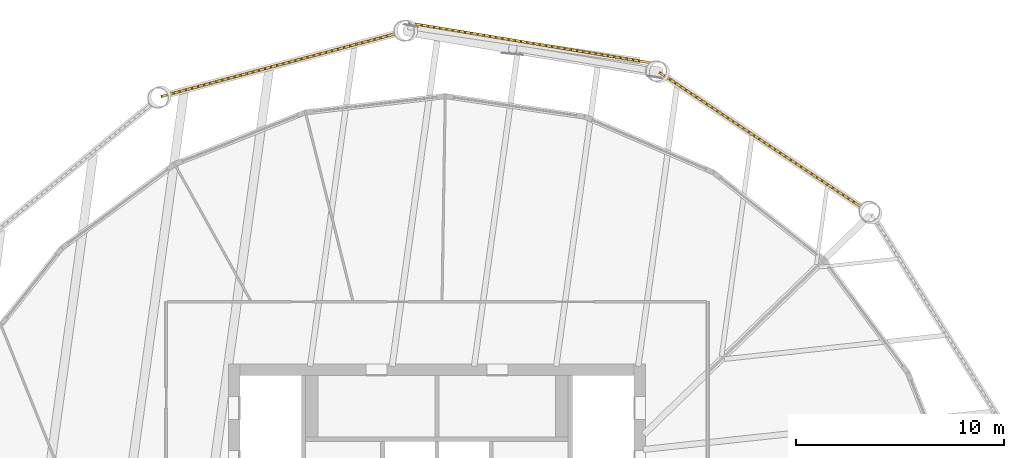
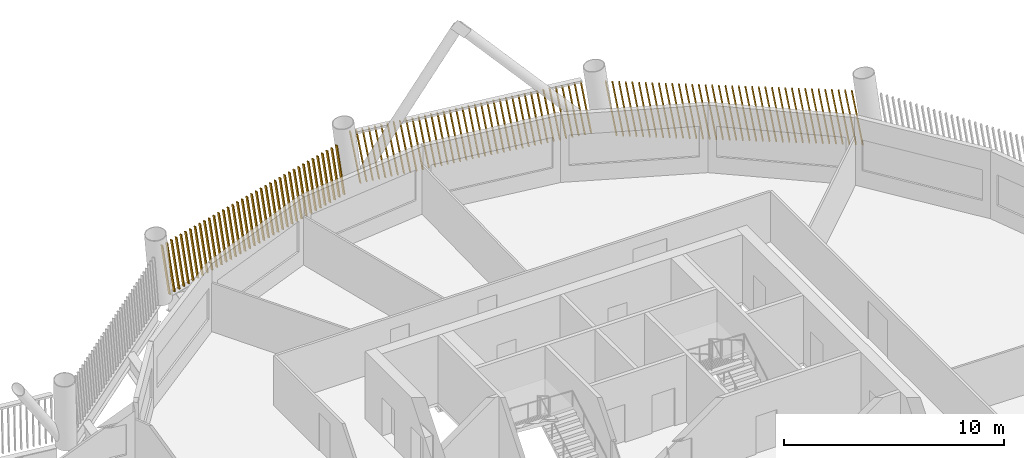
# One storey, part 20 of 21: 3 shading devices.
"""IFC4 building model written with IfcOpenShell, lengths in metres."""

from ifc_helpers import new_model, si_unit, direction, frame, frame_2d, origin, place, context, subcontext, project, spatial, rectangle, composite_profile, extrude, material, type_object, element, save


model = new_model("IFC4")

# Units and contexts
model_context = context("Model", 3, precision=1e-05, world=origin(), true_north=direction((0.0, 1.0)))
body_context = subcontext(model_context, "Body", "Model", "MODEL_VIEW")
ifc_project = project(units=[si_unit("LENGTHUNIT", "METRE"), si_unit("AREAUNIT", "SQUARE_METRE"), si_unit("VOLUMEUNIT", "CUBIC_METRE"), si_unit("PLANEANGLEUNIT", "RADIAN"), si_unit("MASSUNIT", "GRAM", prefix="KILO")], contexts=[model_context])

# Site, building, storey
site_placement = place(None, origin())
site = spatial("IfcSite", under=ifc_project, at=site_placement, CompositionType="ELEMENT")
building_placement = place(site_placement, origin())
building = spatial("IfcBuilding", under=site, at=building_placement, Name="Tarsis Ring Headquarters", CompositionType="ELEMENT")
storey_placement = place(building_placement, frame((0.0, 0.0, 255.199951171875)))
storey = spatial("IfcBuildingStorey", under=building, at=storey_placement, Name="L59", CompositionType="ELEMENT", Elevation=255.199951171875)

# Shading devices
ifc_material = material(Name="Terracotta baguette", Category="masonry")
shading_device_type = type_object("IfcShadingDeviceType", Name="Terracotta baguette screen", PredefinedType="USERDEFINED", material=ifc_material)
shading_device_1_placement = place(storey_placement, frame((20.4375, 20.5, 0.0), z_axis=(0.0, 0.0, 1.0), x_axis=(-0.831882799783, 0.554964731416, 0.0)))
element("IfcShadingDevice", 1, at=shading_device_1_placement, inside=storey, type_object=shading_device_type, Name="Baguette screen L59-11", ObjectType="Terracotta baguette screen", PredefinedType="USERDEFINED", context=body_context, shape_type="SweptSolid", body=[
    extrude(composite_profile([rectangle(XDim=0.06005859375, YDim=0.1201171875, at=frame_2d((0.030029296875, 0.0))), rectangle(XDim=0.06005859375, YDim=0.1201171875, at=frame_2d((0.33251953125, 0.0))), rectangle(XDim=0.06005859375, YDim=0.1201171875, at=frame_2d((0.634765625, 0.0))), rectangle(XDim=0.06005859375, YDim=0.1201171875, at=frame_2d((0.937255859375, 0.0))), rectangle(XDim=0.06005859375, YDim=0.1201171875, at=frame_2d((1.239501953125, 0.0))), rectangle(XDim=0.06005859375, YDim=0.1201171875, at=frame_2d((1.5419921875, 0.0))), rectangle(XDim=0.06005859375, YDim=0.1201171875, at=frame_2d((1.844482421875, 0.0))), rectangle(XDim=0.06005859375, YDim=0.1201171875, at=frame_2d((2.146728515625, 0.0))), rectangle(XDim=0.06005859375, YDim=0.1201171875, at=frame_2d((2.44921875, 0.0))), rectangle(XDim=0.06005859375, YDim=0.1201171875, at=frame_2d((2.751708984375, 0.0))), rectangle(XDim=0.06005859375, YDim=0.1201171875, at=frame_2d((3.053955078125, 0.0))), rectangle(XDim=0.06005859375, YDim=0.1201171875, at=frame_2d((3.3564453125, 0.0))), rectangle(XDim=0.06005859375, YDim=0.1201171875, at=frame_2d((3.65869140625, 0.0))), rectangle(XDim=0.06005859375, YDim=0.1201171875, at=frame_2d((3.961181640625, 0.0))), rectangle(XDim=0.06005859375, YDim=0.1201171875, at=frame_2d((4.263671875, 0.0))), rectangle(XDim=0.06005859375, YDim=0.1201171875, at=frame_2d((4.56591796875, 0.0))), rectangle(XDim=0.06005859375, YDim=0.1201171875, at=frame_2d((4.868408203125, 0.0))), rectangle(XDim=0.06005859375, YDim=0.1201171875, at=frame_2d((5.1708984375, 0.0))), rectangle(XDim=0.06005859375, YDim=0.1201171875, at=frame_2d((5.47314453125, 0.0))), rectangle(XDim=0.06005859375, YDim=0.1201171875, at=frame_2d((5.775634765625, 0.0))), rectangle(XDim=0.06005859375, YDim=0.1201171875, at=frame_2d((6.077880859375, 0.0))), rectangle(XDim=0.06005859375, YDim=0.1201171875, at=frame_2d((6.38037109375, 0.0))), rectangle(XDim=0.06005859375, YDim=0.1201171875, at=frame_2d((6.682861328125, 0.0))), rectangle(XDim=0.06005859375, YDim=0.1201171875, at=frame_2d((6.985107421875, 0.0))), rectangle(XDim=0.06005859375, YDim=0.1201171875, at=frame_2d((7.28759765625, 0.0))), rectangle(XDim=0.06005859375, YDim=0.1201171875, at=frame_2d((7.590087890625, 0.0))), rectangle(XDim=0.06005859375, YDim=0.1201171875, at=frame_2d((7.892333984375, 0.0))), rectangle(XDim=0.06005859375, YDim=0.1201171875, at=frame_2d((8.19482421875, 0.0))), rectangle(XDim=0.06005859375, YDim=0.1201171875, at=frame_2d((8.4970703125, 0.0))), rectangle(XDim=0.06005859375, YDim=0.1201171875, at=frame_2d((8.799560546875, 0.0))), rectangle(XDim=0.06005859375, YDim=0.1201171875, at=frame_2d((9.10205078125, 0.0))), rectangle(XDim=0.06005859375, YDim=0.1201171875, at=frame_2d((9.404296875, 0.0))), rectangle(XDim=0.06005859375, YDim=0.1201171875, at=frame_2d((9.706787109375, 0.0))), rectangle(XDim=0.06005859375, YDim=0.1201171875, at=frame_2d((10.00927734375, 0.0))), rectangle(XDim=0.06005859375, YDim=0.1201171875, at=frame_2d((10.3115234375, 0.0))), rectangle(XDim=0.06005859375, YDim=0.1201171875, at=frame_2d((10.614013671875, 0.0))), rectangle(XDim=0.06005859375, YDim=0.1201171875, at=frame_2d((10.916259765625, 0.0))), rectangle(XDim=0.06005859375, YDim=0.1201171875, at=frame_2d((11.21875, 0.0)))]), origin(), (0.164704693561, 0.001434873288, 0.986341880413), 3.0087890625),
])
shading_device_2_placement = place(storey_placement, frame((10.231689453125, 27.4716796875, 0.0), z_axis=(0.0, 0.0, 1.0), x_axis=(-0.986673901248, 0.162734671731, 0.0)))
element("IfcShadingDevice", 2, at=shading_device_2_placement, inside=storey, type_object=shading_device_type, Name="Baguette screen L59-12", ObjectType="Terracotta baguette screen", PredefinedType="USERDEFINED", context=body_context, shape_type="SweptSolid", body=[
    extrude(composite_profile([rectangle(XDim=0.06005859375, YDim=0.1201171875, at=frame_2d((0.030029296875, 0.0))), rectangle(XDim=0.06005859375, YDim=0.1201171875, at=frame_2d((0.33251953125, 0.0))), rectangle(XDim=0.06005859375, YDim=0.1201171875, at=frame_2d((0.634765625, 0.0))), rectangle(XDim=0.06005859375, YDim=0.1201171875, at=frame_2d((0.937255859375, 0.0))), rectangle(XDim=0.06005859375, YDim=0.1201171875, at=frame_2d((1.239501953125, 0.0))), rectangle(XDim=0.06005859375, YDim=0.1201171875, at=frame_2d((1.5419921875, 0.0))), rectangle(XDim=0.06005859375, YDim=0.1201171875, at=frame_2d((1.844482421875, 0.0))), rectangle(XDim=0.06005859375, YDim=0.1201171875, at=frame_2d((2.146728515625, 0.0))), rectangle(XDim=0.06005859375, YDim=0.1201171875, at=frame_2d((2.44921875, 0.0))), rectangle(XDim=0.06005859375, YDim=0.1201171875, at=frame_2d((2.751708984375, 0.0))), rectangle(XDim=0.06005859375, YDim=0.1201171875, at=frame_2d((3.053955078125, 0.0))), rectangle(XDim=0.06005859375, YDim=0.1201171875, at=frame_2d((3.3564453125, 0.0))), rectangle(XDim=0.06005859375, YDim=0.1201171875, at=frame_2d((3.65869140625, 0.0))), rectangle(XDim=0.06005859375, YDim=0.1201171875, at=frame_2d((3.961181640625, 0.0))), rectangle(XDim=0.06005859375, YDim=0.1201171875, at=frame_2d((4.263671875, 0.0))), rectangle(XDim=0.06005859375, YDim=0.1201171875, at=frame_2d((4.56591796875, 0.0))), rectangle(XDim=0.06005859375, YDim=0.1201171875, at=frame_2d((4.868408203125, 0.0))), rectangle(XDim=0.06005859375, YDim=0.1201171875, at=frame_2d((5.1708984375, 0.0))), rectangle(XDim=0.06005859375, YDim=0.1201171875, at=frame_2d((5.47314453125, 0.0))), rectangle(XDim=0.06005859375, YDim=0.1201171875, at=frame_2d((5.775634765625, 0.0))), rectangle(XDim=0.06005859375, YDim=0.1201171875, at=frame_2d((6.077880859375, 0.0))), rectangle(XDim=0.06005859375, YDim=0.1201171875, at=frame_2d((6.38037109375, 0.0))), rectangle(XDim=0.06005859375, YDim=0.1201171875, at=frame_2d((6.682861328125, 0.0))), rectangle(XDim=0.06005859375, YDim=0.1201171875, at=frame_2d((6.985107421875, 0.0))), rectangle(XDim=0.06005859375, YDim=0.1201171875, at=frame_2d((7.28759765625, 0.0))), rectangle(XDim=0.06005859375, YDim=0.1201171875, at=frame_2d((7.590087890625, 0.0))), rectangle(XDim=0.06005859375, YDim=0.1201171875, at=frame_2d((7.892333984375, 0.0))), rectangle(XDim=0.06005859375, YDim=0.1201171875, at=frame_2d((8.19482421875, 0.0))), rectangle(XDim=0.06005859375, YDim=0.1201171875, at=frame_2d((8.4970703125, 0.0))), rectangle(XDim=0.06005859375, YDim=0.1201171875, at=frame_2d((8.799560546875, 0.0))), rectangle(XDim=0.06005859375, YDim=0.1201171875, at=frame_2d((9.10205078125, 0.0))), rectangle(XDim=0.06005859375, YDim=0.1201171875, at=frame_2d((9.404296875, 0.0))), rectangle(XDim=0.06005859375, YDim=0.1201171875, at=frame_2d((9.706787109375, 0.0))), rectangle(XDim=0.06005859375, YDim=0.1201171875, at=frame_2d((10.00927734375, 0.0))), rectangle(XDim=0.06005859375, YDim=0.1201171875, at=frame_2d((10.3115234375, 0.0))), rectangle(XDim=0.06005859375, YDim=0.1201171875, at=frame_2d((10.614013671875, 0.0))), rectangle(XDim=0.06005859375, YDim=0.1201171875, at=frame_2d((10.916259765625, 0.0))), rectangle(XDim=0.06005859375, YDim=0.1201171875, at=frame_2d((11.21875, 0.0)))]), origin(), (0.166818909194, 0.001453698118, 0.985986479774), 3.010009765625),
])
shading_device_3_placement = place(storey_placement, frame((-1.904541015625, 28.884521484375, 0.0), z_axis=(0.0, 0.0, 1.0), x_axis=(-0.966033640803, -0.258426478568, 0.0)))
element("IfcShadingDevice", 3, at=shading_device_3_placement, inside=storey, type_object=shading_device_type, Name="Baguette screen L59-13", ObjectType="Terracotta baguette screen", PredefinedType="USERDEFINED", context=body_context, shape_type="SweptSolid", body=[
    extrude(composite_profile([rectangle(XDim=0.06005859375, YDim=0.1201171875, at=frame_2d((0.030029296875, 0.0))), rectangle(XDim=0.06005859375, YDim=0.1201171875, at=frame_2d((0.33251953125, 0.0))), rectangle(XDim=0.06005859375, YDim=0.1201171875, at=frame_2d((0.634765625, 0.0))), rectangle(XDim=0.06005859375, YDim=0.1201171875, at=frame_2d((0.937255859375, 0.0))), rectangle(XDim=0.06005859375, YDim=0.1201171875, at=frame_2d((1.239501953125, 0.0))), rectangle(XDim=0.06005859375, YDim=0.1201171875, at=frame_2d((1.5419921875, 0.0))), rectangle(XDim=0.06005859375, YDim=0.1201171875, at=frame_2d((1.844482421875, 0.0))), rectangle(XDim=0.06005859375, YDim=0.1201171875, at=frame_2d((2.146728515625, 0.0))), rectangle(XDim=0.06005859375, YDim=0.1201171875, at=frame_2d((2.44921875, 0.0))), rectangle(XDim=0.06005859375, YDim=0.1201171875, at=frame_2d((2.751708984375, 0.0))), rectangle(XDim=0.06005859375, YDim=0.1201171875, at=frame_2d((3.053955078125, 0.0))), rectangle(XDim=0.06005859375, YDim=0.1201171875, at=frame_2d((3.3564453125, 0.0))), rectangle(XDim=0.06005859375, YDim=0.1201171875, at=frame_2d((3.65869140625, 0.0))), rectangle(XDim=0.06005859375, YDim=0.1201171875, at=frame_2d((3.961181640625, 0.0))), rectangle(XDim=0.06005859375, YDim=0.1201171875, at=frame_2d((4.263671875, 0.0))), rectangle(XDim=0.06005859375, YDim=0.1201171875, at=frame_2d((4.56591796875, 0.0))), rectangle(XDim=0.06005859375, YDim=0.1201171875, at=frame_2d((4.868408203125, 0.0))), rectangle(XDim=0.06005859375, YDim=0.1201171875, at=frame_2d((5.1708984375, 0.0))), rectangle(XDim=0.06005859375, YDim=0.1201171875, at=frame_2d((5.47314453125, 0.0))), rectangle(XDim=0.06005859375, YDim=0.1201171875, at=frame_2d((5.775634765625, 0.0))), rectangle(XDim=0.06005859375, YDim=0.1201171875, at=frame_2d((6.077880859375, 0.0))), rectangle(XDim=0.06005859375, YDim=0.1201171875, at=frame_2d((6.38037109375, 0.0))), rectangle(XDim=0.06005859375, YDim=0.1201171875, at=frame_2d((6.682861328125, 0.0))), rectangle(XDim=0.06005859375, YDim=0.1201171875, at=frame_2d((6.985107421875, 0.0))), rectangle(XDim=0.06005859375, YDim=0.1201171875, at=frame_2d((7.28759765625, 0.0))), rectangle(XDim=0.06005859375, YDim=0.1201171875, at=frame_2d((7.590087890625, 0.0))), rectangle(XDim=0.06005859375, YDim=0.1201171875, at=frame_2d((7.892333984375, 0.0))), rectangle(XDim=0.06005859375, YDim=0.1201171875, at=frame_2d((8.19482421875, 0.0))), rectangle(XDim=0.06005859375, YDim=0.1201171875, at=frame_2d((8.4970703125, 0.0))), rectangle(XDim=0.06005859375, YDim=0.1201171875, at=frame_2d((8.799560546875, 0.0))), rectangle(XDim=0.06005859375, YDim=0.1201171875, at=frame_2d((9.10205078125, 0.0))), rectangle(XDim=0.06005859375, YDim=0.1201171875, at=frame_2d((9.404296875, 0.0))), rectangle(XDim=0.06005859375, YDim=0.1201171875, at=frame_2d((9.706787109375, 0.0))), rectangle(XDim=0.06005859375, YDim=0.1201171875, at=frame_2d((10.00927734375, 0.0))), rectangle(XDim=0.06005859375, YDim=0.1201171875, at=frame_2d((10.3115234375, 0.0))), rectangle(XDim=0.06005859375, YDim=0.1201171875, at=frame_2d((10.614013671875, 0.0))), rectangle(XDim=0.06005859375, YDim=0.1201171875, at=frame_2d((10.916259765625, 0.0))), rectangle(XDim=0.06005859375, YDim=0.1201171875, at=frame_2d((11.21875, 0.0)))]), origin(), (0.164703719086, 0.001435943819, 0.986342041578), 3.0087890625),
])

save(model, "model.ifc")
